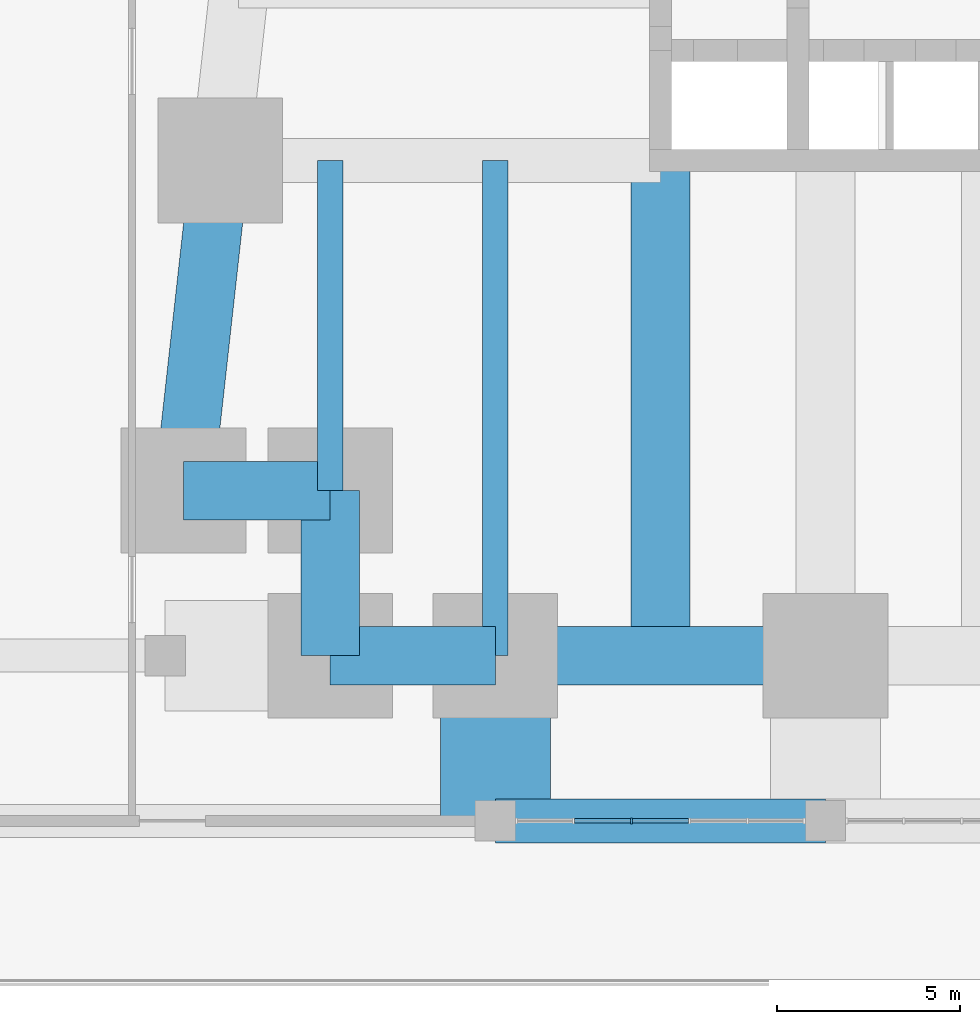
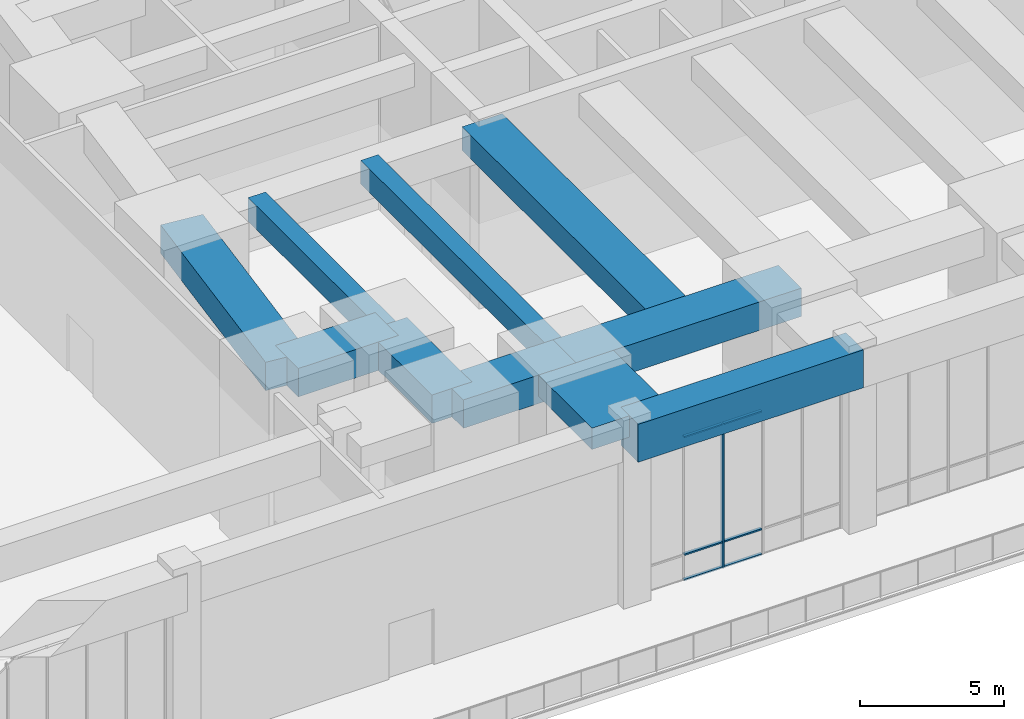
# One storey, part 3 of 26: 10 beams, 7 members, 1 element without a shape of its own.
"""IFC4 building model written with IfcOpenShell, lengths in metres."""

from ifc_helpers import new_model, si_unit, direction, frame, origin, origin_2d, place, context, subcontext, project, spatial, rectangle, extrude, material, material_profile, profile_set, type_object, element, aggregate, save


model = new_model("IFC4")

# Units and contexts
model_context = context("Model", 3, precision=1e-05, world=origin(), true_north=direction((0.0, 1.0)))
body_context = subcontext(model_context, "Body", "Model", "MODEL_VIEW")
ifc_project = project(units=[si_unit("LENGTHUNIT", "METRE"), si_unit("AREAUNIT", "SQUARE_METRE"), si_unit("VOLUMEUNIT", "CUBIC_METRE"), si_unit("PLANEANGLEUNIT", "RADIAN"), si_unit("MASSUNIT", "GRAM", prefix="KILO")], contexts=[model_context])

# Site, building, storey
site_placement = place(None, origin())
site = spatial("IfcSite", under=ifc_project, at=site_placement, CompositionType="ELEMENT")
building_placement = place(site_placement, origin())
building = spatial("IfcBuilding", under=site, at=building_placement, Name="Kilele Tower Hotel", CompositionType="ELEMENT")
storey_placement = place(building_placement, frame((0.0, 0.0, 11.0)))
storey = spatial("IfcBuildingStorey", under=building, at=storey_placement, Name="L02", CompositionType="ELEMENT", Elevation=11.0)

# Beams
ifc_material_1 = material(Name="Concrete C60/75", Category="concrete")
ifc_material_profile_1 = material_profile(ifc_material_1, rectangle(XDim=1.199951171875, YDim=1.60009765625, at=origin_2d()))
ifc_profile_set_1 = profile_set([ifc_material_profile_1], Name="Concrete C60/75")
beam_type_1 = type_object("IfcBeamType", Name="Beam RC 1200x1600 C60/75", PredefinedType="BEAM", material=ifc_profile_set_1)
beam_1_placement = place(storey_placement, frame((9.0, -4.5, 6.89990234375), z_axis=(1.0, 0.0, 0.0), x_axis=(0.0, 1.0, 0.0)))
element("IfcBeam", 1, at=beam_1_placement, inside=storey, type_object=beam_type_1, Name="Beam PB2 level L03", PredefinedType="BEAM", context=body_context, shape_type="SweptSolid", body=[
    extrude(rectangle(XDim=1.199951171875, YDim=1.60009765625, at=origin_2d()), origin(), (0.0, 0.0, 1.0), 9.0),
])
ifc_material_2 = material(Name="Concrete C60/75", Category="concrete")
ifc_material_profile_2 = material_profile(ifc_material_2, rectangle(XDim=1.60009765625, YDim=1.0, at=origin_2d()))
ifc_profile_set_2 = profile_set([ifc_material_profile_2], Name="Concrete C60/75")
beam_type_2 = type_object("IfcBeamType", Name="Beam RC 1600x1000 C60/75", PredefinedType="BEAM", material=ifc_profile_set_2)
beam_2_placement = place(storey_placement, frame((13.5, 0.0, 7.199951171875), z_axis=(0.0, 1.0, 0.0), x_axis=(-1.0, 0.0, 0.0)))
element("IfcBeam", 2, at=beam_2_placement, inside=storey, type_object=beam_type_2, Name="Beam BC1 level L03", PredefinedType="BEAM", context=body_context, shape_type="SweptSolid", body=[
    extrude(rectangle(XDim=1.60009765625, YDim=1.0, at=origin_2d()), origin(), (0.0, 0.0, 1.0), 13.5),
])
ifc_material_3 = material(Name="Concrete C60/75", Category="concrete")
ifc_material_profile_3 = material_profile(ifc_material_3, rectangle(XDim=3.0, YDim=0.89990234375, at=origin_2d()))
ifc_profile_set_3 = profile_set([ifc_material_profile_3], Name="Concrete C60/75")
beam_type_3 = type_object("IfcBeamType", Name="Beam RC 3000x900 C60/75", PredefinedType="BEAM", material=ifc_profile_set_3)
beam_3_placement = place(storey_placement, frame((9.0, -4.5, 7.25), z_axis=(0.0, 1.0, 0.0), x_axis=(-1.0, 0.0, 0.0)))
element("IfcBeam", 3, at=beam_3_placement, inside=storey, type_object=beam_type_3, Name="Beam PB1 level L03", PredefinedType="BEAM", context=body_context, shape_type="SweptSolid", body=[
    extrude(rectangle(XDim=3.0, YDim=0.89990234375, at=origin_2d()), origin(), (0.0, 0.0, 1.0), 4.5),
])
ifc_material_4 = material(Name="Concrete C60/75", Category="concrete")
ifc_material_profile_4 = material_profile(ifc_material_4, rectangle(XDim=0.699951171875, YDim=1.0, at=origin_2d()))
ifc_profile_set_4 = profile_set([ifc_material_profile_4], Name="Concrete C60/75")
beam_type_4 = type_object("IfcBeamType", Name="Beam RC 700x1000 C60/75", PredefinedType="BEAM", material=ifc_profile_set_4)
beam_4_placement = place(storey_placement, frame((9.0, 0.0, 7.199951171875), z_axis=(0.0, 1.0, 0.0), x_axis=(-1.0, 0.0, 0.0)))
element("IfcBeam", 4, at=beam_4_placement, inside=storey, type_object=beam_type_4, Name="Beam B4 level L03", PredefinedType="BEAM", context=body_context, shape_type="SweptSolid", body=[
    extrude(rectangle(XDim=0.699951171875, YDim=1.0, at=origin_2d()), origin(), (0.0, 0.0, 1.0), 13.5),
])
ifc_material_5 = material(Name="Concrete C60/75", Category="concrete")
ifc_material_profile_5 = material_profile(ifc_material_5, rectangle(XDim=0.699951171875, YDim=1.0, at=origin_2d()))
ifc_profile_set_5 = profile_set([ifc_material_profile_5], Name="Concrete C60/75")
beam_type_5 = type_object("IfcBeamType", Name="Beam RC 700x1000 C60/75 mid span", PredefinedType="BEAM", material=ifc_profile_set_5)
beam_5_placement = place(storey_placement, frame((4.5, 4.5, 7.199951171875), z_axis=(0.0, 1.0, 0.0), x_axis=(-1.0, 0.0, 0.0)))
element("IfcBeam", 5, at=beam_5_placement, inside=storey, type_object=beam_type_5, Name="Beam B5 level L03", PredefinedType="BEAM", context=body_context, shape_type="SweptSolid", body=[
    extrude(rectangle(XDim=0.699951171875, YDim=1.0, at=origin_2d()), origin(), (0.0, 0.0, 1.0), 9.0),
])

# Curtain wall, member
ifc_material_6 = material(Name="Aluminium curtain wall, clear double glazing", Category="aluminium")
curtain_wall_type = type_object("IfcCurtainWallType", Name="Podium curtain wall CW-1", PredefinedType="NOTDEFINED", material=ifc_material_6)
curtain_wall_placement = place(storey_placement, origin())
curtain_wall = element("IfcCurtainWall", 6, at=curtain_wall_placement, inside=storey, type_object=curtain_wall_type, Name="Podium curtain wall CW-1 L02", PredefinedType="NOTDEFINED")
ifc_material_7 = material(Name="Aluminium EN AW-6063 T6", Category="aluminium")
ifc_material_profile_6 = material_profile(ifc_material_7, rectangle(XDim=0.159912109375, YDim=0.06005859375, at=origin_2d()))
ifc_profile_set_6 = profile_set([ifc_material_profile_6], Name="Aluminium EN AW-6063 T6")
member_type_1 = type_object("IfcMemberType", Name="Mullion 60x160 CW-1", PredefinedType="MULLION", material=ifc_profile_set_6)
member_1_placement = place(storey_placement, frame((12.7099609375, -4.5, 0.0), z_axis=(0.0, 0.0, 1.0), x_axis=(0.0, 1.0, 0.0)))
member_1 = element("IfcMember", 7, at=member_1_placement, type_object=member_type_1, Name="CW-1 mullion 3", PredefinedType="MULLION", context=body_context, shape_type="SweptSolid", body=[
    extrude(rectangle(XDim=0.159912109375, YDim=0.06005859375, at=origin_2d()), origin(), (0.0, 0.0, 1.0), 6.10009765625),
])

# Beams
ifc_material_8 = material(Name="Concrete C60/75", Category="concrete")
ifc_material_profile_7 = material_profile(ifc_material_8, rectangle(XDim=1.60009765625, YDim=1.199951171875, at=origin_2d()))
ifc_profile_set_7 = profile_set([ifc_material_profile_7], Name="Concrete C60/75")
beam_type_6 = type_object("IfcBeamType", Name="Spandrel RC 1600x1200 C60/75", PredefinedType="SPANDREL", material=ifc_profile_set_7)
beam_6_placement = place(storey_placement, frame((0.5, 4.5, 7.10009765625), z_axis=(1.0, 0.0, 0.0), x_axis=(0.0, 1.0, 0.0)))
element("IfcBeam", 8, at=beam_6_placement, inside=storey, type_object=beam_type_6, Name="Spandrel SP11 level L03", PredefinedType="SPANDREL", context=body_context, shape_type="SweptSolid", body=[
    extrude(rectangle(XDim=1.60009765625, YDim=1.199951171875, at=origin_2d()), origin(), (0.0, 0.0, 1.0), 4.0),
])
for number, where, z_axis, x_axis, name in (
    (9, (4.5, 4.5, 7.10009765625), (0.0, -1.0, 0.0), (1.0, 0.0, 0.0), "Spandrel SP11 level L03"),
    (10, (4.5, 0.0, 7.10009765625), (1.0, 0.0, 0.0), (0.0, 1.0, 0.0), "Spandrel SP11 level L03"),
):
    element("IfcBeam", number, at=place(storey_placement, frame(where, z_axis=z_axis, x_axis=x_axis)), inside=storey, type_object=beam_type_6, Name=name, PredefinedType="SPANDREL", context=body_context, shape_type="SweptSolid", body=[
        extrude(rectangle(XDim=1.60009765625, YDim=1.199951171875, at=origin_2d()), origin(), (0.0, 0.0, 1.0), 4.5),
    ])
beam_7_placement = place(storey_placement, frame((9.0, 0.0, 7.10009765625), z_axis=(1.0, 0.0, 0.0), x_axis=(0.0, 1.0, 0.0)))
element("IfcBeam", 11, at=beam_7_placement, inside=storey, type_object=beam_type_6, Name="Spandrel SP11 level L03", PredefinedType="SPANDREL", context=body_context, shape_type="SweptSolid", body=[
    extrude(rectangle(XDim=1.60009765625, YDim=1.199951171875, at=origin_2d()), origin(), (0.0, 0.0, 1.0), 9.0),
])
beam_8_placement = place(storey_placement, frame((1.5, 13.5, 7.10009765625), z_axis=(-0.110431526075, -0.993883734674, 0.0), x_axis=(0.993883734674, -0.110431526075, 0.0)))
element("IfcBeam", 12, at=beam_8_placement, inside=storey, type_object=beam_type_6, Name="Spandrel SP11 level L03", PredefinedType="SPANDREL", context=body_context, shape_type="SweptSolid", body=[
    extrude(rectangle(XDim=1.60009765625, YDim=1.199951171875, at=origin_2d()), origin(), (0.0, 0.0, 1.0), 9.055419921875),
])

# Member
ifc_material_9 = material(Name="Aluminium EN AW-6063 T6", Category="aluminium")
ifc_material_profile_8 = material_profile(ifc_material_9, rectangle(XDim=0.1201171875, YDim=0.06005859375, at=origin_2d()))
ifc_profile_set_8 = profile_set([ifc_material_profile_8], Name="Aluminium EN AW-6063 T6")
member_type_2 = type_object("IfcMemberType", Name="Transom 60x120 CW-1", PredefinedType="USERDEFINED", material=ifc_profile_set_8)
member_2_placement = place(storey_placement, frame((11.159912109375, -4.5, 0.030029296875), z_axis=(1.0, 0.0, 0.0), x_axis=(0.0, 1.0, 0.0)))
member_2 = element("IfcMember", 13, at=member_2_placement, type_object=member_type_2, Name="CW-1 transom 2.1", ObjectType="TRANSOM", PredefinedType="USERDEFINED", context=body_context, shape_type="SweptSolid", body=[
    extrude(rectangle(XDim=0.1201171875, YDim=0.06005859375, at=origin_2d()), origin(), (0.0, 0.0, 1.0), 1.52001953125),
])

member_3_placement = place(storey_placement, frame((11.159912109375, -4.5, 1.10009765625), z_axis=(1.0, 0.0, 0.0), x_axis=(0.0, 1.0, 0.0)))
member_3 = element("IfcMember", 14, at=member_3_placement, type_object=member_type_2, Name="CW-1 transom 2.2", ObjectType="TRANSOM", PredefinedType="USERDEFINED", context=body_context, shape_type="SweptSolid", body=[
    extrude(rectangle(XDim=0.1201171875, YDim=0.06005859375, at=origin_2d()), origin(), (0.0, 0.0, 1.0), 1.52001953125),
])

member_4_placement = place(storey_placement, frame((11.159912109375, -4.5, 6.070068359375), z_axis=(1.0, 0.0, 0.0), x_axis=(0.0, 1.0, 0.0)))
member_4 = element("IfcMember", 15, at=member_4_placement, type_object=member_type_2, Name="CW-1 transom 2.3", ObjectType="TRANSOM", PredefinedType="USERDEFINED", context=body_context, shape_type="SweptSolid", body=[
    extrude(rectangle(XDim=0.1201171875, YDim=0.06005859375, at=origin_2d()), origin(), (0.0, 0.0, 1.0), 1.52001953125),
])

member_5_placement = place(storey_placement, frame((12.739990234375, -4.5, 0.030029296875), z_axis=(1.0, 0.0, 0.0), x_axis=(0.0, 1.0, 0.0)))
member_5 = element("IfcMember", 16, at=member_5_placement, type_object=member_type_2, Name="CW-1 transom 3.1", ObjectType="TRANSOM", PredefinedType="USERDEFINED", context=body_context, shape_type="SweptSolid", body=[
    extrude(rectangle(XDim=0.1201171875, YDim=0.06005859375, at=origin_2d()), origin(), (0.0, 0.0, 1.0), 1.52001953125),
])

member_6_placement = place(storey_placement, frame((12.739990234375, -4.5, 1.10009765625), z_axis=(1.0, 0.0, 0.0), x_axis=(0.0, 1.0, 0.0)))
member_6 = element("IfcMember", 17, at=member_6_placement, type_object=member_type_2, Name="CW-1 transom 3.2", ObjectType="TRANSOM", PredefinedType="USERDEFINED", context=body_context, shape_type="SweptSolid", body=[
    extrude(rectangle(XDim=0.1201171875, YDim=0.06005859375, at=origin_2d()), origin(), (0.0, 0.0, 1.0), 1.52001953125),
])

member_7_placement = place(storey_placement, frame((12.739990234375, -4.5, 6.070068359375), z_axis=(1.0, 0.0, 0.0), x_axis=(0.0, 1.0, 0.0)))
member_7 = element("IfcMember", 18, at=member_7_placement, type_object=member_type_2, Name="CW-1 transom 3.3", ObjectType="TRANSOM", PredefinedType="USERDEFINED", context=body_context, shape_type="SweptSolid", body=[
    extrude(rectangle(XDim=0.1201171875, YDim=0.06005859375, at=origin_2d()), origin(), (0.0, 0.0, 1.0), 1.52001953125),
])

aggregate(curtain_wall, [member_1, member_2, member_3, member_4, member_5, member_6, member_7])

save(model, "model.ifc")
